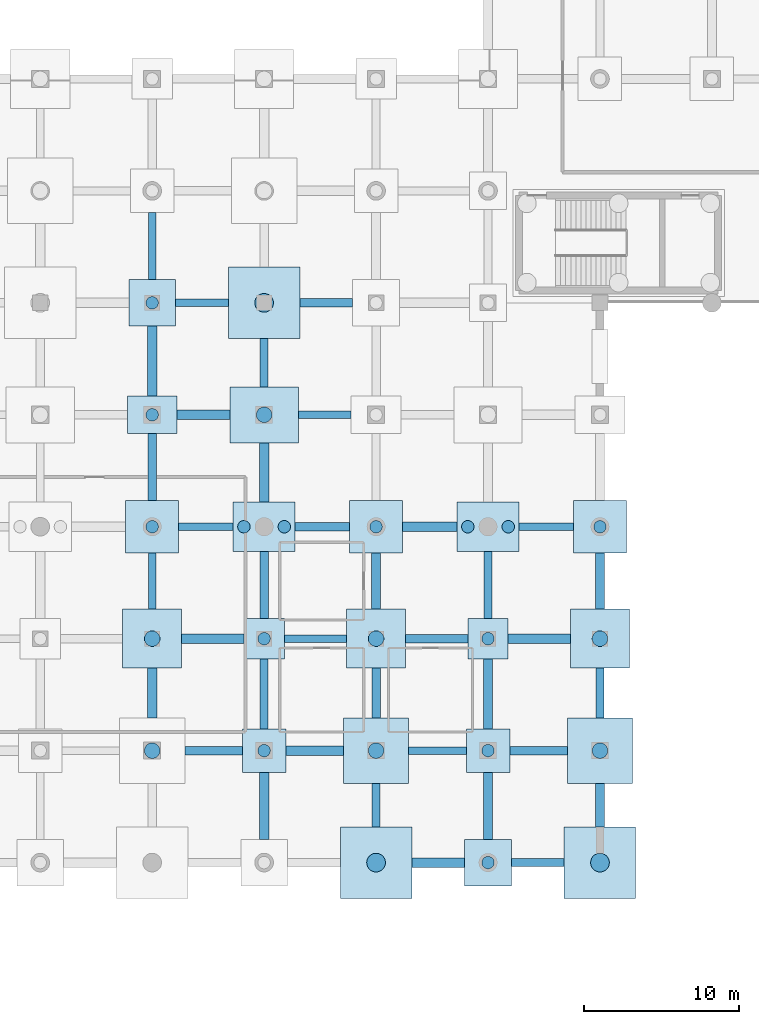
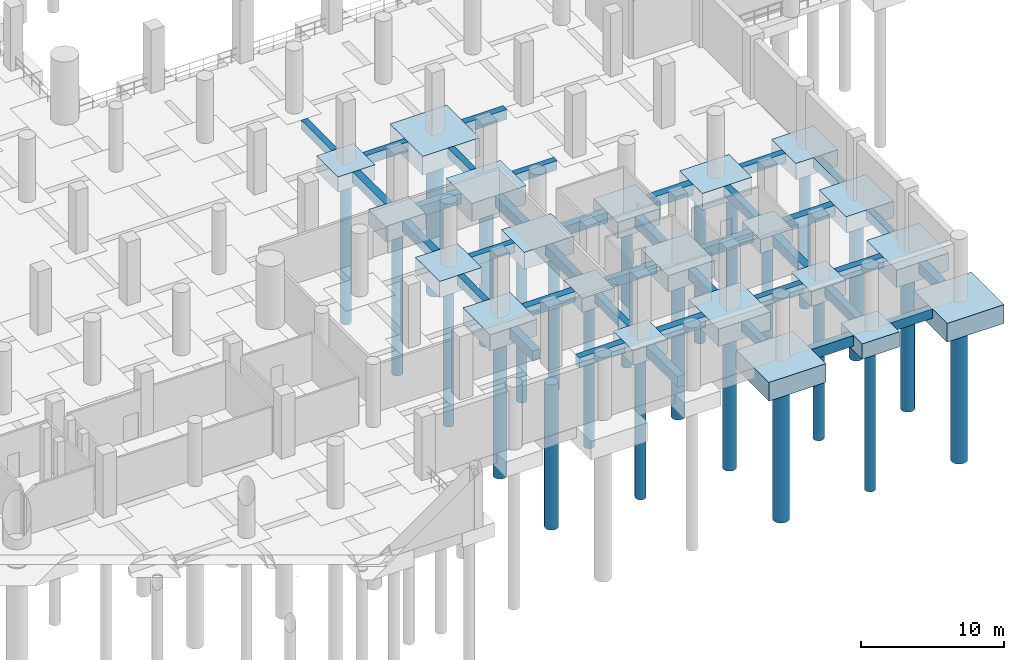
# One storey, part 12 of 37: 58 footings, 24 piles.
"""IFC4 building model written with IfcOpenShell, lengths in metres."""

from ifc_helpers import new_model, si_unit, direction, frame, origin, origin_2d, place, context, subcontext, project, spatial, rectangle, circle, extrude, material, material_profile, profile_set, type_object, element, save


model = new_model("IFC4")

# Units and contexts
model_context = context("Model", 3, precision=1e-05, world=origin(), true_north=direction((0.0, 1.0)))
body_context = subcontext(model_context, "Body", "Model", "MODEL_VIEW")
ifc_project = project(units=[si_unit("LENGTHUNIT", "METRE"), si_unit("AREAUNIT", "SQUARE_METRE"), si_unit("VOLUMEUNIT", "CUBIC_METRE"), si_unit("PLANEANGLEUNIT", "RADIAN"), si_unit("MASSUNIT", "GRAM", prefix="KILO")], contexts=[model_context])

# Site, building, storey
site_placement = place(None, origin())
site = spatial("IfcSite", under=ifc_project, at=site_placement, CompositionType="ELEMENT")
building_placement = place(site_placement, origin())
building = spatial("IfcBuilding", under=site, at=building_placement, Name="Qandorah Velis Arena", CompositionType="ELEMENT")
storey_placement = place(building_placement, frame((0.0, 0.0, -5.39990234375)))
storey = spatial("IfcBuildingStorey", under=building, at=storey_placement, Name="B1", CompositionType="ELEMENT", Elevation=-5.39990234375)

# Footings
ifc_material = material(Name="Concrete C40/50", Category="concrete")
footing_type_1 = type_object("IfcFootingType", Name="STR-CAP-PC10", PredefinedType="PILE_CAP", material=ifc_material)
for number, where, z_axis, x_axis, name in (
    (1, (136.800048828125, 21.60009765625, -1.2001953125), (0.0, 0.0, 1.0), (1.0, 0.0, 0.0), "Pile cap CAP-B1-277"),
    (2, (151.199951171875, 21.60009765625, -1.2001953125), (0.0, 0.0, 1.0), (1.0, 0.0, 0.0), "Pile cap CAP-B1-307"),
):
    element("IfcFooting", number, at=place(storey_placement, frame(where, z_axis=z_axis, x_axis=x_axis)), inside=storey, type_object=footing_type_1, Name=name, PredefinedType="PILE_CAP", context=body_context, shape_type="SweptSolid", body=[
        extrude(rectangle(XDim=2.60009765625, YDim=2.60009765625, at=origin_2d()), origin(), (0.0, 0.0, 1.0), 1.199951171875),
    ])
footing_type_2 = type_object("IfcFootingType", Name="STR-CAP-PC14", PredefinedType="PILE_CAP", material=ifc_material)
for number, where, z_axis, x_axis, name in (
    (3, (136.800048828125, 28.800048828125, -1.4501953125), (0.0, 0.0, 1.0), (1.0, 0.0, 0.0), "Pile cap CAP-B1-278"),
    (4, (151.199951171875, 28.800048828125, -1.4501953125), (0.0, 0.0, 1.0), (1.0, 0.0, 0.0), "Pile cap CAP-B1-308"),
):
    element("IfcFooting", number, at=place(storey_placement, frame(where, z_axis=z_axis, x_axis=x_axis)), inside=storey, type_object=footing_type_2, Name=name, PredefinedType="PILE_CAP", context=body_context, shape_type="SweptSolid", body=[
        extrude(rectangle(XDim=4.0, YDim=3.199951171875, at=origin_2d()), origin(), (0.0, 0.0, 1.0), 1.449951171875),
    ])
footing_type_3 = type_object("IfcFootingType", Name="STR-CAP-PC15", PredefinedType="PILE_CAP", material=ifc_material)
footing_1_placement = place(storey_placement, frame((136.800048828125, 36.0, -1.55029296875), z_axis=(0.0, 0.0, 1.0), x_axis=(1.0, 0.0, 0.0)))
element("IfcFooting", 5, at=footing_1_placement, inside=storey, type_object=footing_type_3, Name="Pile cap CAP-B1-279", PredefinedType="PILE_CAP", context=body_context, shape_type="SweptSolid", body=[
    extrude(rectangle(XDim=4.39990234375, YDim=3.60009765625, at=origin_2d()), origin(), (0.0, 0.0, 1.0), 1.550048828125),
])
footing_type_4 = type_object("IfcFootingType", Name="STR-CAP-PC3", PredefinedType="PILE_CAP", material=ifc_material)
for number, where, z_axis, x_axis, name in (
    (6, (136.800048828125, 43.199951171875, -1.60009765625), (0.0, 0.0, 1.0), (1.0, 0.0, 0.0), "Pile cap CAP-B1-280"),
    (7, (144.0, 7.199951171875, -1.60009765625), (0.0, 0.0, 1.0), (1.0, 0.0, 0.0), "Pile cap CAP-B1-290"),
    (8, (158.39990234375, 7.199951171875, -1.60009765625), (0.0, 0.0, 1.0), (1.0, 0.0, 0.0), "Pile cap CAP-B1-320"),
):
    element("IfcFooting", number, at=place(storey_placement, frame(where, z_axis=z_axis, x_axis=x_axis)), inside=storey, type_object=footing_type_4, Name=name, PredefinedType="PILE_CAP", context=body_context, shape_type="SweptSolid", body=[
        extrude(rectangle(XDim=4.60009765625, YDim=4.60009765625, at=origin_2d()), origin(), (0.0, 0.0, 1.0), 1.60009765625),
    ])
footing_type_5 = type_object("IfcFootingType", Name="STR-CAP-PC4", PredefinedType="PILE_CAP", material=ifc_material)
for number, where, z_axis, x_axis, name in (
    (9, (144.0, 14.39990234375, -1.5), (0.0, 0.0, 1.0), (1.0, 0.0, 0.0), "Pile cap CAP-B1-291"),
    (10, (158.39990234375, 14.39990234375, -1.5), (0.0, 0.0, 1.0), (1.0, 0.0, 0.0), "Pile cap CAP-B1-321"),
):
    element("IfcFooting", number, at=place(storey_placement, frame(where, z_axis=z_axis, x_axis=x_axis)), inside=storey, type_object=footing_type_5, Name=name, PredefinedType="PILE_CAP", context=body_context, shape_type="SweptSolid", body=[
        extrude(rectangle(XDim=4.199951171875, YDim=4.199951171875, at=origin_2d()), origin(), (0.0, 0.0, 1.0), 1.5),
    ])
footing_type_6 = type_object("IfcFootingType", Name="STR-CAP-PC5", PredefinedType="PILE_CAP", material=ifc_material)
for number, where, z_axis, x_axis, name in (
    (11, (129.60009765625, 21.60009765625, -1.400146484375), (0.0, 0.0, 1.0), (1.0, 0.0, 0.0), "Pile cap CAP-B1-262"),
    (12, (144.0, 21.60009765625, -1.400146484375), (0.0, 0.0, 1.0), (1.0, 0.0, 0.0), "Pile cap CAP-B1-292"),
    (13, (158.39990234375, 21.60009765625, -1.400146484375), (0.0, 0.0, 1.0), (1.0, 0.0, 0.0), "Pile cap CAP-B1-322"),
):
    element("IfcFooting", number, at=place(storey_placement, frame(where, z_axis=z_axis, x_axis=x_axis)), inside=storey, type_object=footing_type_6, Name=name, PredefinedType="PILE_CAP", context=body_context, shape_type="SweptSolid", body=[
        extrude(rectangle(XDim=3.800048828125, YDim=3.800048828125, at=origin_2d()), origin(), (0.0, 0.0, 1.0), 1.39990234375),
    ])
footing_type_7 = type_object("IfcFootingType", Name="STR-CAP-PC6", PredefinedType="PILE_CAP", material=ifc_material)
for number, where, z_axis, x_axis, name in (
    (14, (129.60009765625, 28.800048828125, -1.400146484375), (0.0, 0.0, 1.0), (1.0, 0.0, 0.0), "Pile cap CAP-B1-263"),
    (15, (144.0, 28.800048828125, -1.400146484375), (0.0, 0.0, 1.0), (1.0, 0.0, 0.0), "Pile cap CAP-B1-293"),
    (16, (158.39990234375, 28.800048828125, -1.400146484375), (0.0, 0.0, 1.0), (1.0, 0.0, 0.0), "Pile cap CAP-B1-323"),
):
    element("IfcFooting", number, at=place(storey_placement, frame(where, z_axis=z_axis, x_axis=x_axis)), inside=storey, type_object=footing_type_7, Name=name, PredefinedType="PILE_CAP", context=body_context, shape_type="SweptSolid", body=[
        extrude(rectangle(XDim=3.39990234375, YDim=3.39990234375, at=origin_2d()), origin(), (0.0, 0.0, 1.0), 1.39990234375),
    ])
footing_type_8 = type_object("IfcFootingType", Name="STR-CAP-PC7", PredefinedType="PILE_CAP", material=ifc_material)
footing_2_placement = place(storey_placement, frame((129.60009765625, 36.0, -1.35009765625), z_axis=(0.0, 0.0, 1.0), x_axis=(1.0, 0.0, 0.0)))
element("IfcFooting", 17, at=footing_2_placement, inside=storey, type_object=footing_type_8, Name="Pile cap CAP-B1-264", PredefinedType="PILE_CAP", context=body_context, shape_type="SweptSolid", body=[
    extrude(rectangle(XDim=3.199951171875, YDim=2.39990234375, at=origin_2d()), origin(), (0.0, 0.0, 1.0), 1.35009765625),
])
footing_type_9 = type_object("IfcFootingType", Name="STR-CAP-PC8", PredefinedType="PILE_CAP", material=ifc_material)
for number, where, z_axis, x_axis, name in (
    (18, (129.60009765625, 43.199951171875, -1.30029296875), (0.0, 0.0, 1.0), (1.0, 0.0, 0.0), "Pile cap CAP-B1-265"),
    (19, (151.199951171875, 7.199951171875, -1.30029296875), (0.0, 0.0, 1.0), (1.0, 0.0, 0.0), "Pile cap CAP-B1-305"),
):
    element("IfcFooting", number, at=place(storey_placement, frame(where, z_axis=z_axis, x_axis=x_axis)), inside=storey, type_object=footing_type_9, Name=name, PredefinedType="PILE_CAP", context=body_context, shape_type="SweptSolid", body=[
        extrude(rectangle(XDim=3.0, YDim=3.0, at=origin_2d()), origin(), (0.0, 0.0, 1.0), 1.300048828125),
    ])
footing_type_10 = type_object("IfcFootingType", Name="STR-CAP-PC9", PredefinedType="PILE_CAP", material=ifc_material)
for number, where, z_axis, x_axis, name in (
    (20, (136.800048828125, 14.39990234375, -1.25), (0.0, 0.0, 1.0), (1.0, 0.0, 0.0), "Pile cap CAP-B1-276"),
    (21, (151.199951171875, 14.39990234375, -1.25), (0.0, 0.0, 1.0), (1.0, 0.0, 0.0), "Pile cap CAP-B1-306"),
):
    element("IfcFooting", number, at=place(storey_placement, frame(where, z_axis=z_axis, x_axis=x_axis)), inside=storey, type_object=footing_type_10, Name=name, PredefinedType="PILE_CAP", context=body_context, shape_type="SweptSolid", body=[
        extrude(rectangle(XDim=2.800048828125, YDim=2.800048828125, at=origin_2d()), origin(), (0.0, 0.0, 1.0), 1.25),
    ])
ifc_material_profile_1 = material_profile(ifc_material, rectangle(XDim=0.60009765625, YDim=0.89990234375, at=origin_2d()), Name="GB1 600x900")
ifc_profile_set_1 = profile_set([ifc_material_profile_1], Name="Concrete C40/50")
footing_type_11 = type_object("IfcFootingType", Name="STR-GB-FB1", PredefinedType="FOOTING_BEAM", material=ifc_profile_set_1)
footing_3_placement = place(storey_placement, frame((129.60009765625, 16.5, -0.4501953125), z_axis=(0.0, 1.0, 0.0), x_axis=(-1.0, 0.0, 0.0)))
element("IfcFooting", 22, at=footing_3_placement, inside=storey, type_object=footing_type_11, Name="Ground tie beam GB-192", PredefinedType="FOOTING_BEAM", context=body_context, shape_type="SweptSolid", body=[
    extrude(rectangle(XDim=0.60009765625, YDim=0.89990234375, at=origin_2d()), origin(), (0.0, 0.0, 1.0), 3.199951171875),
])
footing_4_placement = place(storey_placement, frame((129.60009765625, 37.199951171875, -0.4501953125), z_axis=(0.0, 1.0, 0.0), x_axis=(-1.0, 0.0, 0.0)))
element("IfcFooting", 23, at=footing_4_placement, inside=storey, type_object=footing_type_11, Name="Ground tie beam GB-195", PredefinedType="FOOTING_BEAM", context=body_context, shape_type="SweptSolid", body=[
    extrude(rectangle(XDim=0.60009765625, YDim=0.89990234375, at=origin_2d()), origin(), (0.0, 0.0, 1.0), 4.5),
])
footing_5_placement = place(storey_placement, frame((136.800048828125, 8.699951171875, -0.4501953125), z_axis=(0.0, 1.0, 0.0), x_axis=(-1.0, 0.0, 0.0)))
element("IfcFooting", 24, at=footing_5_placement, inside=storey, type_object=footing_type_11, Name="Ground tie beam GB-204", PredefinedType="FOOTING_BEAM", context=body_context, shape_type="SweptSolid", body=[
    extrude(rectangle(XDim=0.60009765625, YDim=0.89990234375, at=origin_2d()), origin(), (0.0, 0.0, 1.0), 4.300048828125),
])
footing_6_placement = place(storey_placement, frame((136.800048828125, 30.39990234375, -0.4501953125), z_axis=(0.0, 1.0, 0.0), x_axis=(-1.0, 0.0, 0.0)))
element("IfcFooting", 25, at=footing_6_placement, inside=storey, type_object=footing_type_11, Name="Ground tie beam GB-207", PredefinedType="FOOTING_BEAM", context=body_context, shape_type="SweptSolid", body=[
    extrude(rectangle(XDim=0.60009765625, YDim=0.89990234375, at=origin_2d()), origin(), (0.0, 0.0, 1.0), 3.800048828125),
])
footing_7_placement = place(storey_placement, frame((144.0, 23.5, -0.4501953125), z_axis=(0.0, 1.0, 0.0), x_axis=(-1.0, 0.0, 0.0)))
element("IfcFooting", 26, at=footing_7_placement, inside=storey, type_object=footing_type_11, Name="Ground tie beam GB-219", PredefinedType="FOOTING_BEAM", context=body_context, shape_type="SweptSolid", body=[
    extrude(rectangle(XDim=0.60009765625, YDim=0.89990234375, at=origin_2d()), origin(), (0.0, 0.0, 1.0), 3.60009765625),
])
footing_8_placement = place(storey_placement, frame((151.199951171875, 15.800048828125, -0.4501953125), z_axis=(0.0, 1.0, 0.0), x_axis=(-1.0, 0.0, 0.0)))
element("IfcFooting", 27, at=footing_8_placement, inside=storey, type_object=footing_type_11, Name="Ground tie beam GB-231", PredefinedType="FOOTING_BEAM", context=body_context, shape_type="SweptSolid", body=[
    extrude(rectangle(XDim=0.60009765625, YDim=0.89990234375, at=origin_2d()), origin(), (0.0, 0.0, 1.0), 4.5),
])
footing_9_placement = place(storey_placement, frame((158.39990234375, 9.5, -0.4501953125), z_axis=(0.0, 1.0, 0.0), x_axis=(-1.0, 0.0, 0.0)))
element("IfcFooting", 28, at=footing_9_placement, inside=storey, type_object=footing_type_11, Name="Ground tie beam GB-243", PredefinedType="FOOTING_BEAM", context=body_context, shape_type="SweptSolid", body=[
    extrude(rectangle(XDim=0.60009765625, YDim=0.89990234375, at=origin_2d()), origin(), (0.0, 0.0, 1.0), 2.800048828125),
])
footing_10_placement = place(storey_placement, frame((146.300048828125, 7.199951171875, -0.4501953125), z_axis=(1.0, 0.0, 0.0), x_axis=(0.0, 1.0, 0.0)))
element("IfcFooting", 29, at=footing_10_placement, inside=storey, type_object=footing_type_11, Name="Ground tie beam GB-291", PredefinedType="FOOTING_BEAM", context=body_context, shape_type="SweptSolid", body=[
    extrude(rectangle(XDim=0.60009765625, YDim=0.89990234375, at=origin_2d()), origin(), (0.0, 0.0, 1.0), 3.39990234375),
])
footing_11_placement = place(storey_placement, frame((138.199951171875, 14.39990234375, -0.4501953125), z_axis=(1.0, 0.0, 0.0), x_axis=(0.0, 1.0, 0.0)))
element("IfcFooting", 30, at=footing_11_placement, inside=storey, type_object=footing_type_11, Name="Ground tie beam GB-312", PredefinedType="FOOTING_BEAM", context=body_context, shape_type="SweptSolid", body=[
    extrude(rectangle(XDim=0.60009765625, YDim=0.89990234375, at=origin_2d()), origin(), (0.0, 0.0, 1.0), 3.699951171875),
])
for number, where, z_axis, x_axis, name in (
    (31, (131.5, 21.60009765625, -0.4501953125), (1.0, 0.0, 0.0), (0.0, 1.0, 0.0), "Ground tie beam GB-333"),
    (32, (152.5, 21.60009765625, -0.4501953125), (1.0, 0.0, 0.0), (0.0, 1.0, 0.0), "Ground tie beam GB-336"),
):
    element("IfcFooting", number, at=place(storey_placement, frame(where, z_axis=z_axis, x_axis=x_axis)), inside=storey, type_object=footing_type_11, Name=name, PredefinedType="FOOTING_BEAM", context=body_context, shape_type="SweptSolid", body=[
        extrude(rectangle(XDim=0.60009765625, YDim=0.89990234375, at=origin_2d()), origin(), (0.0, 0.0, 1.0), 4.0),
    ])
footing_12_placement = place(storey_placement, frame((145.699951171875, 28.800048828125, -0.4501953125), z_axis=(1.0, 0.0, 0.0), x_axis=(0.0, 1.0, 0.0)))
element("IfcFooting", 33, at=footing_12_placement, inside=storey, type_object=footing_type_11, Name="Ground tie beam GB-357", PredefinedType="FOOTING_BEAM", context=body_context, shape_type="SweptSolid", body=[
    extrude(rectangle(XDim=0.60009765625, YDim=0.89990234375, at=origin_2d()), origin(), (0.0, 0.0, 1.0), 3.5),
])
footing_13_placement = place(storey_placement, frame((131.199951171875, 36.0, -0.4501953125), z_axis=(1.0, 0.0, 0.0), x_axis=(0.0, 1.0, 0.0)))
element("IfcFooting", 34, at=footing_13_placement, inside=storey, type_object=footing_type_11, Name="Ground tie beam GB-375", PredefinedType="FOOTING_BEAM", context=body_context, shape_type="SweptSolid", body=[
    extrude(rectangle(XDim=0.60009765625, YDim=0.89990234375, at=origin_2d()), origin(), (0.0, 0.0, 1.0), 3.400146484375),
])
ifc_material_profile_2 = material_profile(ifc_material, rectangle(XDim=0.5, YDim=0.800048828125, at=origin_2d()), Name="GB2 500x800")
ifc_profile_set_2 = profile_set([ifc_material_profile_2], Name="Concrete C40/50")
footing_type_12 = type_object("IfcFootingType", Name="STR-GB-FB2", PredefinedType="FOOTING_BEAM", material=ifc_profile_set_2)
footing_14_placement = place(storey_placement, frame((129.60009765625, 23.5, -0.400146484375), z_axis=(0.0, 1.0, 0.0), x_axis=(-1.0, 0.0, 0.0)))
element("IfcFooting", 35, at=footing_14_placement, inside=storey, type_object=footing_type_12, Name="Ground tie beam GB-193", PredefinedType="FOOTING_BEAM", context=body_context, shape_type="SweptSolid", body=[
    extrude(rectangle(XDim=0.5, YDim=0.800048828125, at=origin_2d()), origin(), (0.0, 0.0, 1.0), 3.60009765625),
])
footing_15_placement = place(storey_placement, frame((129.60009765625, 44.699951171875, -0.400146484375), z_axis=(0.0, 1.0, 0.0), x_axis=(-1.0, 0.0, 0.0)))
element("IfcFooting", 36, at=footing_15_placement, inside=storey, type_object=footing_type_12, Name="Ground tie beam GB-196", PredefinedType="FOOTING_BEAM", context=body_context, shape_type="SweptSolid", body=[
    extrude(rectangle(XDim=0.5, YDim=0.800048828125, at=origin_2d()), origin(), (0.0, 0.0, 1.0), 4.300048828125),
])
footing_16_placement = place(storey_placement, frame((136.800048828125, 15.800048828125, -0.400146484375), z_axis=(0.0, 1.0, 0.0), x_axis=(-1.0, 0.0, 0.0)))
element("IfcFooting", 37, at=footing_16_placement, inside=storey, type_object=footing_type_12, Name="Ground tie beam GB-205", PredefinedType="FOOTING_BEAM", context=body_context, shape_type="SweptSolid", body=[
    extrude(rectangle(XDim=0.5, YDim=0.800048828125, at=origin_2d()), origin(), (0.0, 0.0, 1.0), 4.5),
])
footing_17_placement = place(storey_placement, frame((136.800048828125, 37.800048828125, -0.400146484375), z_axis=(0.0, 1.0, 0.0), x_axis=(-1.0, 0.0, 0.0)))
element("IfcFooting", 38, at=footing_17_placement, inside=storey, type_object=footing_type_12, Name="Ground tie beam GB-208", PredefinedType="FOOTING_BEAM", context=body_context, shape_type="SweptSolid", body=[
    extrude(rectangle(XDim=0.5, YDim=0.800048828125, at=origin_2d()), origin(), (0.0, 0.0, 1.0), 3.099853515625),
])
footing_18_placement = place(storey_placement, frame((144.0, 9.5, -0.400146484375), z_axis=(0.0, 1.0, 0.0), x_axis=(-1.0, 0.0, 0.0)))
element("IfcFooting", 39, at=footing_18_placement, inside=storey, type_object=footing_type_12, Name="Ground tie beam GB-217", PredefinedType="FOOTING_BEAM", context=body_context, shape_type="SweptSolid", body=[
    extrude(rectangle(XDim=0.5, YDim=0.800048828125, at=origin_2d()), origin(), (0.0, 0.0, 1.0), 2.800048828125),
])
footing_19_placement = place(storey_placement, frame((151.199951171875, 22.89990234375, -0.400146484375), z_axis=(0.0, 1.0, 0.0), x_axis=(-1.0, 0.0, 0.0)))
element("IfcFooting", 40, at=footing_19_placement, inside=storey, type_object=footing_type_12, Name="Ground tie beam GB-232", PredefinedType="FOOTING_BEAM", context=body_context, shape_type="SweptSolid", body=[
    extrude(rectangle(XDim=0.5, YDim=0.800048828125, at=origin_2d()), origin(), (0.0, 0.0, 1.0), 4.300048828125),
])
footing_20_placement = place(storey_placement, frame((158.39990234375, 16.5, -0.400146484375), z_axis=(0.0, 1.0, 0.0), x_axis=(-1.0, 0.0, 0.0)))
element("IfcFooting", 41, at=footing_20_placement, inside=storey, type_object=footing_type_12, Name="Ground tie beam GB-244", PredefinedType="FOOTING_BEAM", context=body_context, shape_type="SweptSolid", body=[
    extrude(rectangle(XDim=0.5, YDim=0.800048828125, at=origin_2d()), origin(), (0.0, 0.0, 1.0), 3.199951171875),
])
footing_21_placement = place(storey_placement, frame((152.699951171875, 7.199951171875, -0.400146484375), z_axis=(1.0, 0.0, 0.0), x_axis=(0.0, 1.0, 0.0)))
element("IfcFooting", 42, at=footing_21_placement, inside=storey, type_object=footing_type_12, Name="Ground tie beam GB-292", PredefinedType="FOOTING_BEAM", context=body_context, shape_type="SweptSolid", body=[
    extrude(rectangle(XDim=0.5, YDim=0.800048828125, at=origin_2d()), origin(), (0.0, 0.0, 1.0), 3.400146484375),
])
footing_22_placement = place(storey_placement, frame((146.10009765625, 14.39990234375, -0.400146484375), z_axis=(1.0, 0.0, 0.0), x_axis=(0.0, 1.0, 0.0)))
element("IfcFooting", 43, at=footing_22_placement, inside=storey, type_object=footing_type_12, Name="Ground tie beam GB-313", PredefinedType="FOOTING_BEAM", context=body_context, shape_type="SweptSolid", body=[
    extrude(rectangle(XDim=0.5, YDim=0.800048828125, at=origin_2d()), origin(), (0.0, 0.0, 1.0), 3.699951171875),
])
footing_23_placement = place(storey_placement, frame((138.10009765625, 21.60009765625, -0.400146484375), z_axis=(1.0, 0.0, 0.0), x_axis=(0.0, 1.0, 0.0)))
element("IfcFooting", 44, at=footing_23_placement, inside=storey, type_object=footing_type_12, Name="Ground tie beam GB-334", PredefinedType="FOOTING_BEAM", context=body_context, shape_type="SweptSolid", body=[
    extrude(rectangle(XDim=0.5, YDim=0.800048828125, at=origin_2d()), origin(), (0.0, 0.0, 1.0), 4.0),
])
for number, where, z_axis, x_axis, name in (
    (45, (131.300048828125, 28.800048828125, -0.400146484375), (1.0, 0.0, 0.0), (0.0, 1.0, 0.0), "Ground tie beam GB-355"),
    (46, (153.199951171875, 28.800048828125, -0.400146484375), (1.0, 0.0, 0.0), (0.0, 1.0, 0.0), "Ground tie beam GB-358"),
):
    element("IfcFooting", number, at=place(storey_placement, frame(where, z_axis=z_axis, x_axis=x_axis)), inside=storey, type_object=footing_type_12, Name=name, PredefinedType="FOOTING_BEAM", context=body_context, shape_type="SweptSolid", body=[
        extrude(rectangle(XDim=0.5, YDim=0.800048828125, at=origin_2d()), origin(), (0.0, 0.0, 1.0), 3.5),
    ])
for number, where, z_axis, x_axis, name in (
    (47, (139.0, 36.0, -0.400146484375), (1.0, 0.0, 0.0), (0.0, 1.0, 0.0), "Ground tie beam GB-376"),
    (48, (131.10009765625, 43.199951171875, -0.400146484375), (1.0, 0.0, 0.0), (0.0, 1.0, 0.0), "Ground tie beam GB-382"),
):
    element("IfcFooting", number, at=place(storey_placement, frame(where, z_axis=z_axis, x_axis=x_axis)), inside=storey, type_object=footing_type_12, Name=name, PredefinedType="FOOTING_BEAM", context=body_context, shape_type="SweptSolid", body=[
        extrude(rectangle(XDim=0.5, YDim=0.800048828125, at=origin_2d()), origin(), (0.0, 0.0, 1.0), 3.39990234375),
    ])
ifc_material_profile_3 = material_profile(ifc_material, rectangle(XDim=0.550048828125, YDim=0.85009765625, at=origin_2d()), Name="GB3 550x850")
ifc_profile_set_3 = profile_set([ifc_material_profile_3], Name="Concrete C40/50")
footing_type_13 = type_object("IfcFootingType", Name="STR-GB-FB3", PredefinedType="FOOTING_BEAM", material=ifc_profile_set_3)
for number, where, z_axis, x_axis, name in (
    (49, (129.60009765625, 30.5, -0.425048828125), (0.0, 1.0, 0.0), (-1.0, 0.0, 0.0), "Ground tie beam GB-194"),
    (50, (136.800048828125, 22.89990234375, -0.425048828125), (0.0, 1.0, 0.0), (-1.0, 0.0, 0.0), "Ground tie beam GB-206"),
):
    element("IfcFooting", number, at=place(storey_placement, frame(where, z_axis=z_axis, x_axis=x_axis)), inside=storey, type_object=footing_type_13, Name=name, PredefinedType="FOOTING_BEAM", context=body_context, shape_type="SweptSolid", body=[
        extrude(rectangle(XDim=0.550048828125, YDim=0.85009765625, at=origin_2d()), origin(), (0.0, 0.0, 1.0), 4.300048828125),
    ])
footing_24_placement = place(storey_placement, frame((144.0, 16.5, -0.425048828125), z_axis=(0.0, 1.0, 0.0), x_axis=(-1.0, 0.0, 0.0)))
element("IfcFooting", 51, at=footing_24_placement, inside=storey, type_object=footing_type_13, Name="Ground tie beam GB-218", PredefinedType="FOOTING_BEAM", context=body_context, shape_type="SweptSolid", body=[
    extrude(rectangle(XDim=0.550048828125, YDim=0.85009765625, at=origin_2d()), origin(), (0.0, 0.0, 1.0), 3.199951171875),
])
footing_25_placement = place(storey_placement, frame((151.199951171875, 8.699951171875, -0.425048828125), z_axis=(0.0, 1.0, 0.0), x_axis=(-1.0, 0.0, 0.0)))
element("IfcFooting", 52, at=footing_25_placement, inside=storey, type_object=footing_type_13, Name="Ground tie beam GB-230", PredefinedType="FOOTING_BEAM", context=body_context, shape_type="SweptSolid", body=[
    extrude(rectangle(XDim=0.550048828125, YDim=0.85009765625, at=origin_2d()), origin(), (0.0, 0.0, 1.0), 4.300048828125),
])
footing_26_placement = place(storey_placement, frame((158.39990234375, 23.5, -0.425048828125), z_axis=(0.0, 1.0, 0.0), x_axis=(-1.0, 0.0, 0.0)))
element("IfcFooting", 53, at=footing_26_placement, inside=storey, type_object=footing_type_13, Name="Ground tie beam GB-245", PredefinedType="FOOTING_BEAM", context=body_context, shape_type="SweptSolid", body=[
    extrude(rectangle(XDim=0.550048828125, YDim=0.85009765625, at=origin_2d()), origin(), (0.0, 0.0, 1.0), 3.60009765625),
])
for number, where, z_axis, x_axis, name in (
    (54, (131.699951171875, 14.39990234375, -0.425048828125), (1.0, 0.0, 0.0), (0.0, 1.0, 0.0), "Ground tie beam GB-311"),
    (55, (152.60009765625, 14.39990234375, -0.425048828125), (1.0, 0.0, 0.0), (0.0, 1.0, 0.0), "Ground tie beam GB-314"),
):
    element("IfcFooting", number, at=place(storey_placement, frame(where, z_axis=z_axis, x_axis=x_axis)), inside=storey, type_object=footing_type_13, Name=name, PredefinedType="FOOTING_BEAM", context=body_context, shape_type="SweptSolid", body=[
        extrude(rectangle(XDim=0.550048828125, YDim=0.85009765625, at=origin_2d()), origin(), (0.0, 0.0, 1.0), 3.699951171875),
    ])
footing_27_placement = place(storey_placement, frame((145.89990234375, 21.60009765625, -0.425048828125), z_axis=(1.0, 0.0, 0.0), x_axis=(0.0, 1.0, 0.0)))
element("IfcFooting", 56, at=footing_27_placement, inside=storey, type_object=footing_type_13, Name="Ground tie beam GB-335", PredefinedType="FOOTING_BEAM", context=body_context, shape_type="SweptSolid", body=[
    extrude(rectangle(XDim=0.550048828125, YDim=0.85009765625, at=origin_2d()), origin(), (0.0, 0.0, 1.0), 4.0),
])
footing_28_placement = place(storey_placement, frame((138.800048828125, 28.800048828125, -0.425048828125), z_axis=(1.0, 0.0, 0.0), x_axis=(0.0, 1.0, 0.0)))
element("IfcFooting", 57, at=footing_28_placement, inside=storey, type_object=footing_type_13, Name="Ground tie beam GB-356", PredefinedType="FOOTING_BEAM", context=body_context, shape_type="SweptSolid", body=[
    extrude(rectangle(XDim=0.550048828125, YDim=0.85009765625, at=origin_2d()), origin(), (0.0, 0.0, 1.0), 3.5),
])
footing_29_placement = place(storey_placement, frame((139.10009765625, 43.199951171875, -0.425048828125), z_axis=(1.0, 0.0, 0.0), x_axis=(0.0, 1.0, 0.0)))
element("IfcFooting", 58, at=footing_29_placement, inside=storey, type_object=footing_type_13, Name="Ground tie beam GB-383", PredefinedType="FOOTING_BEAM", context=body_context, shape_type="SweptSolid", body=[
    extrude(rectangle(XDim=0.550048828125, YDim=0.85009765625, at=origin_2d()), origin(), (0.0, 0.0, 1.0), 3.39990234375),
])

# Piles
ifc_material_profile_4 = material_profile(ifc_material, circle(Radius=0.5, at=origin_2d()), Name="BORED PILE D1000")
ifc_profile_set_4 = profile_set([ifc_material_profile_4], Name="Concrete C40/50")
pile_type_1 = type_object("IfcPileType", Name="STR-PILE-BP1000", PredefinedType="BORED", material=ifc_profile_set_4)
pile_1_placement = place(storey_placement, frame((129.60009765625, 14.39990234375, -1.400146484375), z_axis=(0.0, 0.0, -1.0), x_axis=(1.0, 0.0, 0.0)))
element("IfcPile", 59, at=pile_1_placement, inside=storey, type_object=pile_type_1, Name="Bored pile PILE-CAP-B1-261-11", PredefinedType="BORED", context=body_context, shape_type="SweptSolid", body=[
    extrude(circle(Radius=0.5, at=origin_2d()), origin(), (0.0, 0.0, 1.0), 12.39990234375),
])
pile_2_placement = place(storey_placement, frame((129.60009765625, 21.60009765625, -1.300048828125), z_axis=(0.0, 0.0, -1.0), x_axis=(1.0, 0.0, 0.0)))
element("IfcPile", 60, at=pile_2_placement, inside=storey, type_object=pile_type_1, Name="Bored pile PILE-CAP-B1-262-11", PredefinedType="BORED", context=body_context, shape_type="SweptSolid", body=[
    extrude(circle(Radius=0.5, at=origin_2d()), origin(), (0.0, 0.0, 1.0), 12.5),
])
pile_3_placement = place(storey_placement, frame((136.800048828125, 36.0, -1.4501953125), z_axis=(0.0, 0.0, -1.0), x_axis=(1.0, 0.0, 0.0)))
element("IfcPile", 61, at=pile_3_placement, inside=storey, type_object=pile_type_1, Name="Bored pile PILE-CAP-B1-279-11", PredefinedType="BORED", context=body_context, shape_type="SweptSolid", body=[
    extrude(circle(Radius=0.5, at=origin_2d()), origin(), (0.0, 0.0, 1.0), 12.35009765625),
])
pile_4_placement = place(storey_placement, frame((144.0, 14.39990234375, -1.400146484375), z_axis=(0.0, 0.0, -1.0), x_axis=(1.0, 0.0, 0.0)))
element("IfcPile", 62, at=pile_4_placement, inside=storey, type_object=pile_type_1, Name="Bored pile PILE-CAP-B1-291-11", PredefinedType="BORED", context=body_context, shape_type="SweptSolid", body=[
    extrude(circle(Radius=0.5, at=origin_2d()), origin(), (0.0, 0.0, 1.0), 12.39990234375),
])
pile_5_placement = place(storey_placement, frame((144.0, 21.60009765625, -1.300048828125), z_axis=(0.0, 0.0, -1.0), x_axis=(1.0, 0.0, 0.0)))
element("IfcPile", 63, at=pile_5_placement, inside=storey, type_object=pile_type_1, Name="Bored pile PILE-CAP-B1-292-11", PredefinedType="BORED", context=body_context, shape_type="SweptSolid", body=[
    extrude(circle(Radius=0.5, at=origin_2d()), origin(), (0.0, 0.0, 1.0), 12.5),
])
pile_6_placement = place(storey_placement, frame((158.39990234375, 14.39990234375, -1.400146484375), z_axis=(0.0, 0.0, -1.0), x_axis=(1.0, 0.0, 0.0)))
element("IfcPile", 64, at=pile_6_placement, inside=storey, type_object=pile_type_1, Name="Bored pile PILE-CAP-B1-321-11", PredefinedType="BORED", context=body_context, shape_type="SweptSolid", body=[
    extrude(circle(Radius=0.5, at=origin_2d()), origin(), (0.0, 0.0, 1.0), 12.39990234375),
])
pile_7_placement = place(storey_placement, frame((158.39990234375, 21.60009765625, -1.300048828125), z_axis=(0.0, 0.0, -1.0), x_axis=(1.0, 0.0, 0.0)))
element("IfcPile", 65, at=pile_7_placement, inside=storey, type_object=pile_type_1, Name="Bored pile PILE-CAP-B1-322-11", PredefinedType="BORED", context=body_context, shape_type="SweptSolid", body=[
    extrude(circle(Radius=0.5, at=origin_2d()), origin(), (0.0, 0.0, 1.0), 12.5),
])
ifc_material_profile_5 = material_profile(ifc_material, circle(Radius=0.60009765625, at=origin_2d()), Name="BORED PILE D1200")
ifc_profile_set_5 = profile_set([ifc_material_profile_5], Name="Concrete C40/50")
pile_type_2 = type_object("IfcPileType", Name="STR-PILE-BP1200", PredefinedType="BORED", material=ifc_profile_set_5)
for number, where, z_axis, x_axis, name in (
    (66, (136.800048828125, 43.199951171875, -1.5), (0.0, 0.0, -1.0), (1.0, 0.0, 0.0), "Bored pile PILE-CAP-B1-280-11"),
    (67, (144.0, 7.199951171875, -1.5), (0.0, 0.0, -1.0), (1.0, 0.0, 0.0), "Bored pile PILE-CAP-B1-290-11"),
    (68, (158.39990234375, 7.199951171875, -1.5), (0.0, 0.0, -1.0), (1.0, 0.0, 0.0), "Bored pile PILE-CAP-B1-320-11"),
):
    element("IfcPile", number, at=place(storey_placement, frame(where, z_axis=z_axis, x_axis=x_axis)), inside=storey, type_object=pile_type_2, Name=name, PredefinedType="BORED", context=body_context, shape_type="SweptSolid", body=[
        extrude(circle(Radius=0.60009765625, at=origin_2d()), origin(), (0.0, 0.0, 1.0), 12.300048828125),
    ])
ifc_material_profile_6 = material_profile(ifc_material, circle(Radius=0.39990234375, at=origin_2d()), Name="BORED PILE D800")
ifc_profile_set_6 = profile_set([ifc_material_profile_6], Name="Concrete C40/50")
pile_type_3 = type_object("IfcPileType", Name="STR-PILE-BP800", PredefinedType="BORED", material=ifc_profile_set_6)
pile_8_placement = place(storey_placement, frame((129.60009765625, 28.800048828125, -1.300048828125), z_axis=(0.0, 0.0, -1.0), x_axis=(1.0, 0.0, 0.0)))
element("IfcPile", 69, at=pile_8_placement, inside=storey, type_object=pile_type_3, Name="Bored pile PILE-CAP-B1-263-11", PredefinedType="BORED", context=body_context, shape_type="SweptSolid", body=[
    extrude(circle(Radius=0.39990234375, at=origin_2d()), origin(), (0.0, 0.0, 1.0), 12.5),
])
pile_9_placement = place(storey_placement, frame((129.60009765625, 36.0, -1.25), z_axis=(0.0, 0.0, -1.0), x_axis=(1.0, 0.0, 0.0)))
element("IfcPile", 70, at=pile_9_placement, inside=storey, type_object=pile_type_3, Name="Bored pile PILE-CAP-B1-264-11", PredefinedType="BORED", context=body_context, shape_type="SweptSolid", body=[
    extrude(circle(Radius=0.39990234375, at=origin_2d()), origin(), (0.0, 0.0, 1.0), 12.550048828125),
])
pile_10_placement = place(storey_placement, frame((129.60009765625, 43.199951171875, -1.2001953125), z_axis=(0.0, 0.0, -1.0), x_axis=(1.0, 0.0, 0.0)))
element("IfcPile", 71, at=pile_10_placement, inside=storey, type_object=pile_type_3, Name="Bored pile PILE-CAP-B1-265-11", PredefinedType="BORED", context=body_context, shape_type="SweptSolid", body=[
    extrude(circle(Radius=0.39990234375, at=origin_2d()), origin(), (0.0, 0.0, 1.0), 12.60009765625),
])
pile_11_placement = place(storey_placement, frame((136.800048828125, 14.39990234375, -1.150146484375), z_axis=(0.0, 0.0, -1.0), x_axis=(1.0, 0.0, 0.0)))
element("IfcPile", 72, at=pile_11_placement, inside=storey, type_object=pile_type_3, Name="Bored pile PILE-CAP-B1-276-11", PredefinedType="BORED", context=body_context, shape_type="SweptSolid", body=[
    extrude(circle(Radius=0.39990234375, at=origin_2d()), origin(), (0.0, 0.0, 1.0), 12.64990234375),
])
pile_12_placement = place(storey_placement, frame((136.800048828125, 21.60009765625, -1.10009765625), z_axis=(0.0, 0.0, -1.0), x_axis=(1.0, 0.0, 0.0)))
element("IfcPile", 73, at=pile_12_placement, inside=storey, type_object=pile_type_3, Name="Bored pile PILE-CAP-B1-277-11", PredefinedType="BORED", context=body_context, shape_type="SweptSolid", body=[
    extrude(circle(Radius=0.39990234375, at=origin_2d()), origin(), (0.0, 0.0, 1.0), 12.699951171875),
])
for number, where, z_axis, x_axis, name in (
    (74, (135.5, 28.800048828125, -1.35009765625), (0.0, 0.0, -1.0), (1.0, 0.0, 0.0), "Bored pile PILE-CAP-B1-278-11"),
    (75, (138.10009765625, 28.800048828125, -1.35009765625), (0.0, 0.0, -1.0), (1.0, 0.0, 0.0), "Bored pile PILE-CAP-B1-278-21"),
):
    element("IfcPile", number, at=place(storey_placement, frame(where, z_axis=z_axis, x_axis=x_axis)), inside=storey, type_object=pile_type_3, Name=name, PredefinedType="BORED", context=body_context, shape_type="SweptSolid", body=[
        extrude(circle(Radius=0.39990234375, at=origin_2d()), origin(), (0.0, 0.0, 1.0), 12.449951171875),
    ])
pile_13_placement = place(storey_placement, frame((144.0, 28.800048828125, -1.300048828125), z_axis=(0.0, 0.0, -1.0), x_axis=(1.0, 0.0, 0.0)))
element("IfcPile", 76, at=pile_13_placement, inside=storey, type_object=pile_type_3, Name="Bored pile PILE-CAP-B1-293-11", PredefinedType="BORED", context=body_context, shape_type="SweptSolid", body=[
    extrude(circle(Radius=0.39990234375, at=origin_2d()), origin(), (0.0, 0.0, 1.0), 12.5),
])
pile_14_placement = place(storey_placement, frame((151.199951171875, 7.199951171875, -1.2001953125), z_axis=(0.0, 0.0, -1.0), x_axis=(1.0, 0.0, 0.0)))
element("IfcPile", 77, at=pile_14_placement, inside=storey, type_object=pile_type_3, Name="Bored pile PILE-CAP-B1-305-11", PredefinedType="BORED", context=body_context, shape_type="SweptSolid", body=[
    extrude(circle(Radius=0.39990234375, at=origin_2d()), origin(), (0.0, 0.0, 1.0), 12.60009765625),
])
pile_15_placement = place(storey_placement, frame((151.199951171875, 14.39990234375, -1.150146484375), z_axis=(0.0, 0.0, -1.0), x_axis=(1.0, 0.0, 0.0)))
element("IfcPile", 78, at=pile_15_placement, inside=storey, type_object=pile_type_3, Name="Bored pile PILE-CAP-B1-306-11", PredefinedType="BORED", context=body_context, shape_type="SweptSolid", body=[
    extrude(circle(Radius=0.39990234375, at=origin_2d()), origin(), (0.0, 0.0, 1.0), 12.64990234375),
])
pile_16_placement = place(storey_placement, frame((151.199951171875, 21.60009765625, -1.10009765625), z_axis=(0.0, 0.0, -1.0), x_axis=(1.0, 0.0, 0.0)))
element("IfcPile", 79, at=pile_16_placement, inside=storey, type_object=pile_type_3, Name="Bored pile PILE-CAP-B1-307-11", PredefinedType="BORED", context=body_context, shape_type="SweptSolid", body=[
    extrude(circle(Radius=0.39990234375, at=origin_2d()), origin(), (0.0, 0.0, 1.0), 12.699951171875),
])
for number, where, z_axis, x_axis, name in (
    (80, (149.89990234375, 28.800048828125, -1.35009765625), (0.0, 0.0, -1.0), (1.0, 0.0, 0.0), "Bored pile PILE-CAP-B1-308-11"),
    (81, (152.5, 28.800048828125, -1.35009765625), (0.0, 0.0, -1.0), (1.0, 0.0, 0.0), "Bored pile PILE-CAP-B1-308-21"),
):
    element("IfcPile", number, at=place(storey_placement, frame(where, z_axis=z_axis, x_axis=x_axis)), inside=storey, type_object=pile_type_3, Name=name, PredefinedType="BORED", context=body_context, shape_type="SweptSolid", body=[
        extrude(circle(Radius=0.39990234375, at=origin_2d()), origin(), (0.0, 0.0, 1.0), 12.449951171875),
    ])
pile_17_placement = place(storey_placement, frame((158.39990234375, 28.800048828125, -1.300048828125), z_axis=(0.0, 0.0, -1.0), x_axis=(1.0, 0.0, 0.0)))
element("IfcPile", 82, at=pile_17_placement, inside=storey, type_object=pile_type_3, Name="Bored pile PILE-CAP-B1-323-11", PredefinedType="BORED", context=body_context, shape_type="SweptSolid", body=[
    extrude(circle(Radius=0.39990234375, at=origin_2d()), origin(), (0.0, 0.0, 1.0), 12.5),
])

save(model, "model.ifc")
